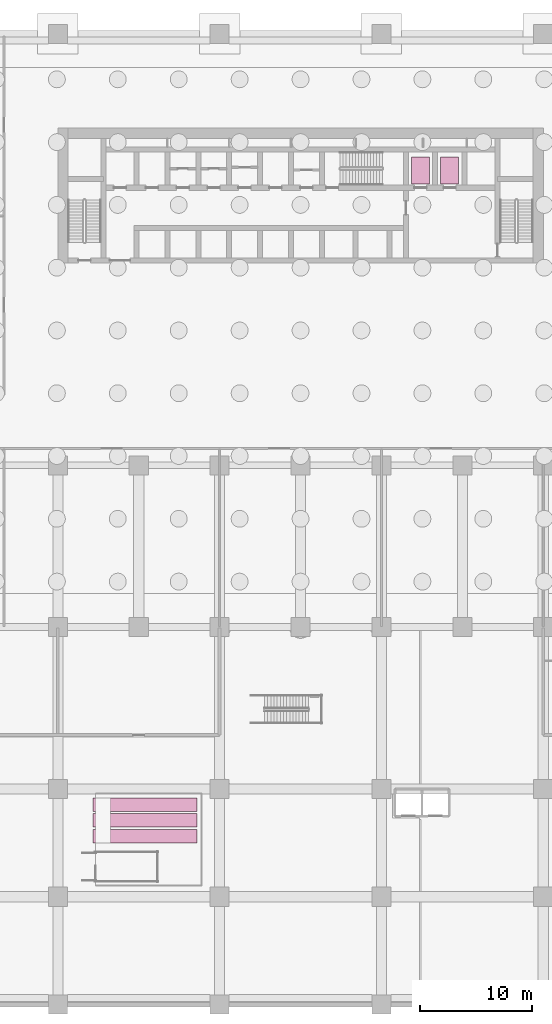
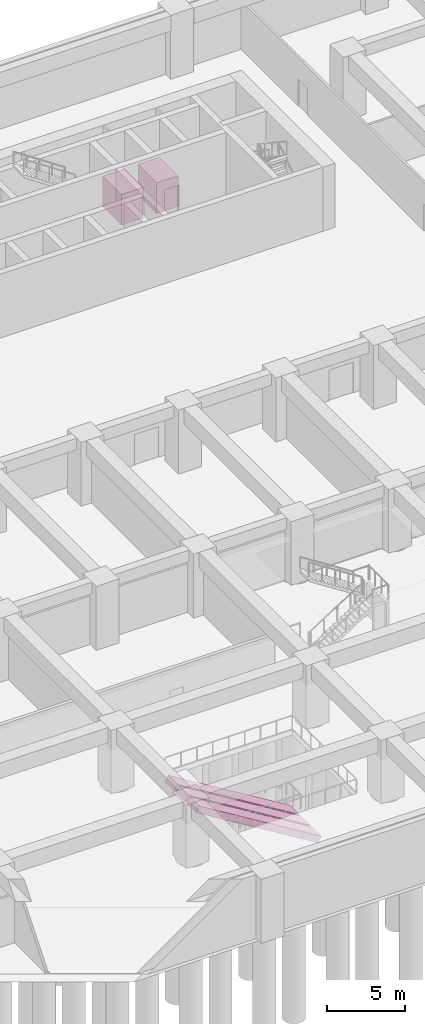
# One storey, part 20 of 20: 5 transport elements.
"""IFC4 building model written with IfcOpenShell, lengths in metres."""

from ifc_helpers import new_model, si_unit, direction, frame, origin, origin_2d, place, context, subcontext, project, spatial, polyline, rectangle, outline, extrude, source, transform, mapped, material, type_object, element, save


model = new_model("IFC4")

# Units and contexts
model_context = context("Model", 3, precision=1e-05, world=origin(), true_north=direction((0.0, 1.0)))
body_context = subcontext(model_context, "Body", "Model", "MODEL_VIEW")
ifc_project = project(units=[si_unit("LENGTHUNIT", "METRE"), si_unit("AREAUNIT", "SQUARE_METRE"), si_unit("VOLUMEUNIT", "CUBIC_METRE"), si_unit("PLANEANGLEUNIT", "RADIAN"), si_unit("MASSUNIT", "GRAM", prefix="KILO")], contexts=[model_context])

# Site, building, storey
site_placement = place(None, origin())
site = spatial("IfcSite", under=ifc_project, at=site_placement, CompositionType="ELEMENT")
building_placement = place(site_placement, origin())
building = spatial("IfcBuilding", under=site, at=building_placement, Name="Saffron Iwan Residences", CompositionType="ELEMENT")
storey_placement = place(building_placement, frame((0.0, 0.0, -5.39990234375)))
storey = spatial("IfcBuildingStorey", under=building, at=storey_placement, Name="B1", CompositionType="ELEMENT", Elevation=-5.39990234375)

# Transport elements
ifc_material_1 = material(Name="Steel S355", Category="steel")
transport_element_type_1 = type_object("IfcTransportElementType", Name="Station escalator 1000", PredefinedType="ESCALATOR", material=ifc_material_1)
transport_element_placement = place(storey_placement, frame((32.199951171875, 14.39990234375, 0.0), z_axis=(0.521450009454, 0.0, 0.853281833652), x_axis=(0.0, 1.0, 0.0)))
element("IfcTransportElement", 1, at=transport_element_placement, inside=storey, type_object=transport_element_type_1, Name="Escalator ES4", PredefinedType="ESCALATOR", context=body_context, shape_type="SweptSolid", body=[
    extrude(outline(polyline([(0.0, 0.0), (1.2001953125, 0.0), (1.2001953125, -10.547511554864494), (0.0, -10.547511554864494), (0.0, 0.0)])), origin(), (0.0, 0.0, -1.0), 0.5),
])
for number, where, z_axis, x_axis, name in (
    (2, (32.199951171875, 15.800048828125, 0.0), (0.521450009454, 0.0, 0.853281833652), (0.0, 1.0, 0.0), "Escalator ES5"),
    (3, (32.199951171875, 17.199951171875, 0.0), (0.521450009454, 0.0, 0.853281833652), (0.0, 1.0, 0.0), "Escalator ES6"),
):
    element("IfcTransportElement", number, at=place(storey_placement, frame(where, z_axis=z_axis, x_axis=x_axis)), inside=storey, type_object=transport_element_type_1, Name=name, PredefinedType="ESCALATOR", context=body_context, shape_type="SweptSolid", body=[
        extrude(outline(polyline([(0.0, 0.0), (1.199951171875, 0.0), (1.199951171875, -10.547511554864492), (0.0, -10.547511554864492), (0.0, 0.0)])), origin(), (0.0, 0.0, -1.0), 0.5),
    ])
ifc_material_2 = material(Name="Stainless steel 316", Category="steel")
transport_element_type_2 = type_object("IfcTransportElementType", Name="Lift car 1600 x 2400", PredefinedType="ELEVATOR", material=ifc_material_2)
shared_shape = source(origin(), body_context, "Body", "SweptSolid", [
    extrude(rectangle(XDim=1.60009765625, YDim=2.39990234375, at=origin_2d()), origin(), (0.0, 0.0, 1.0), 2.39990234375),
])
for number, where, z_axis, x_axis, name in (
    (4, (61.074951171875, 74.22509765625, 0.0), (0.0, 0.0, 1.0), (1.0, 0.0, 0.0), "Lift FF1"),
    (5, (63.675048828125, 74.22509765625, 0.0), (0.0, 0.0, 1.0), (1.0, 0.0, 0.0), "Lift FF2"),
):
    element("IfcTransportElement", number, at=place(storey_placement, frame(where, z_axis=z_axis, x_axis=x_axis)), inside=storey, type_object=transport_element_type_2, Name=name, PredefinedType="ELEVATOR", context=body_context, shape_type="MappedRepresentation", body=[
        mapped(shared_shape, transform((0.0, 0.0, 0.0))),
    ])

save(model, "model.ifc")
